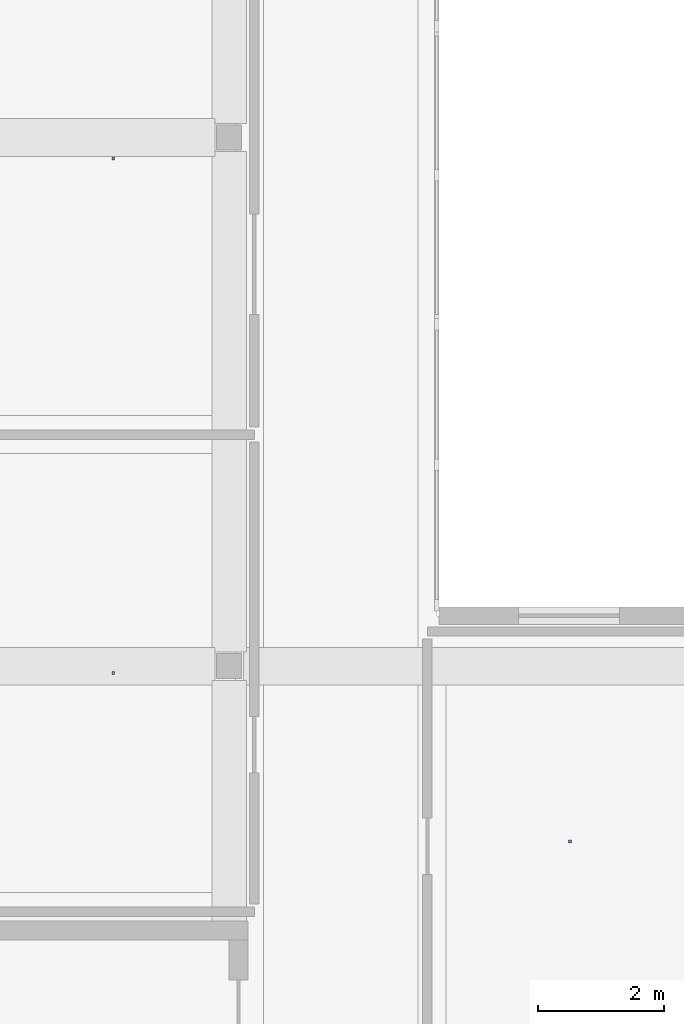
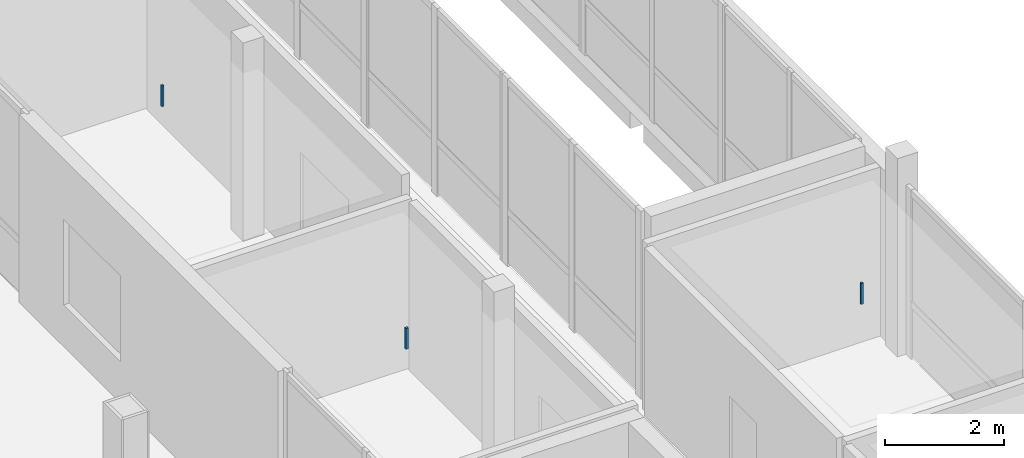
# One storey, part 18 of 24: 3 discrete accessories.
"""IFC4 building model written with IfcOpenShell, lengths in metres."""

from ifc_helpers import new_model, si_unit, derived_unit, direction, frame, origin, origin_2d, place, context, subcontext, project, spatial, rectangle, extrude, material, type_object, element, save


model = new_model("IFC4")

# Units and contexts
model_context = context("Model", 3, precision=1e-05, world=origin(), true_north=direction((0.0, 1.0)))
body_context = subcontext(model_context, "Body", "Model", "MODEL_VIEW")
ifc_project = project(units=[si_unit("LENGTHUNIT", "METRE"), si_unit("AREAUNIT", "SQUARE_METRE"), si_unit("VOLUMEUNIT", "CUBIC_METRE"), si_unit("PLANEANGLEUNIT", "RADIAN"), si_unit("MASSUNIT", "GRAM", prefix="KILO"), derived_unit("THERMALTRANSMITTANCEUNIT", [(si_unit("POWERUNIT", "WATT"), 1), (si_unit("LENGTHUNIT", "METRE"), -2), (si_unit("THERMODYNAMICTEMPERATUREUNIT", "KELVIN"), -1)])], contexts=[model_context])

# Site, building, storey
site_placement = place(None, origin())
site = spatial("IfcSite", under=ifc_project, at=site_placement, CompositionType="ELEMENT")
building_placement = place(site_placement, origin())
building = spatial("IfcBuilding", under=site, at=building_placement, Name="Braskholm Square Health Centre", CompositionType="ELEMENT")
storey_placement = place(building_placement, frame((0.0, 0.0, 21.60009765625)))
storey = spatial("IfcBuildingStorey", under=building, at=storey_placement, Name="L06", CompositionType="ELEMENT", Elevation=21.60009765625)

# Discrete accessories
ifc_material = material(Name="Steel ASTM A500 Grade C", Category="steel")
discrete_accessory_type = type_object("IfcDiscreteAccessoryType", Name="CeilingSuspensionBracket", PredefinedType="BRACKET", material=ifc_material)
for number, where, z_axis, x_axis, name in (
    (1, (9.56005859375, 63.68994140625, 3.421875), (0.0, 0.0, 1.0), (1.0, 0.0, 0.0), "Ceiling hanger bracket 0099"),
    (2, (9.56005859375, 71.864990234375, 3.421875), (0.0, 0.0, 1.0), (1.0, 0.0, 0.0), "Ceiling hanger bracket 0100"),
    (3, (16.81494140625, 61.014892578125, 3.421875), (0.0, 0.0, 1.0), (1.0, 0.0, 0.0), "Ceiling hanger bracket 0108"),
):
    element("IfcDiscreteAccessory", number, at=place(storey_placement, frame(where, z_axis=z_axis, x_axis=x_axis)), inside=storey, type_object=discrete_accessory_type, Name=name, PredefinedType="BRACKET", context=body_context, shape_type="SweptSolid", body=[
        extrude(rectangle(XDim=0.044921875, YDim=0.044921875, at=origin_2d()), origin(), (0.0, 0.0, 1.0), 0.429931640625),
    ])

save(model, "model.ifc")
